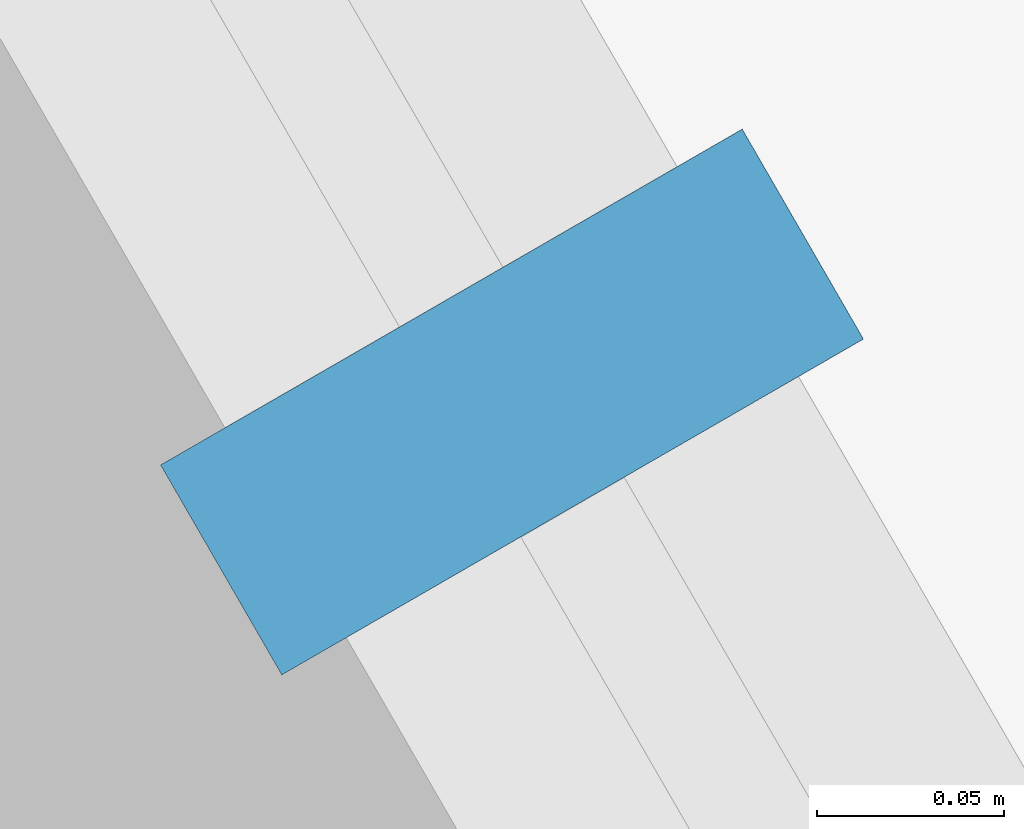
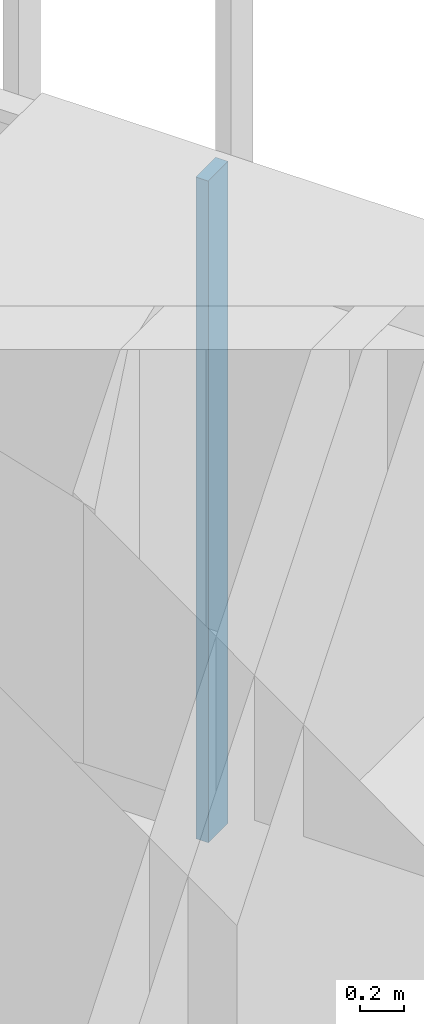
# One storey, part 222 of 238: 1 member, 1 element without a shape of its own.
"""IFC4 building model written with IfcOpenShell, lengths in metres."""

from ifc_helpers import new_model, si_unit, direction, frame, origin, origin_2d, place, context, subcontext, project, spatial, rectangle, extrude, material, material_profile, profile_set, type_object, element, aggregate, save


model = new_model("IFC4")

# Units and contexts
model_context = context("Model", 3, precision=1e-05, world=origin(), true_north=direction((0.0, 1.0)))
body_context = subcontext(model_context, "Body", "Model", "MODEL_VIEW")
ifc_project = project(units=[si_unit("LENGTHUNIT", "METRE"), si_unit("AREAUNIT", "SQUARE_METRE"), si_unit("VOLUMEUNIT", "CUBIC_METRE"), si_unit("PLANEANGLEUNIT", "RADIAN"), si_unit("MASSUNIT", "GRAM", prefix="KILO")], contexts=[model_context])

# Site, building, storey
site_placement = place(None, origin())
site = spatial("IfcSite", under=ifc_project, at=site_placement, CompositionType="ELEMENT")
building_placement = place(site_placement, origin())
building = spatial("IfcBuilding", under=site, at=building_placement, Name="Sandreach Pilgrim Tower", CompositionType="ELEMENT")
storey_placement = place(building_placement, frame((0.0, 0.0, 96.800048828125)))
storey = spatial("IfcBuildingStorey", under=building, at=storey_placement, Name="L23", CompositionType="ELEMENT", Elevation=96.800048828125)

# Curtain wall, member
ifc_material_1 = material(Name="Aluminium framed curtain wall", Category="aluminium")
curtain_wall_type = type_object("IfcCurtainWallType", Name="Hotel tower curtain wall", PredefinedType="NOTDEFINED", material=ifc_material_1)
curtain_wall_placement = place(storey_placement, origin())
curtain_wall = element("IfcCurtainWall", 1, at=curtain_wall_placement, inside=storey, type_object=curtain_wall_type, Name="CW-2 L23 NE", PredefinedType="NOTDEFINED")
ifc_material_2 = material(Name="Aluminium extrusion", Category="aluminium")
ifc_material_profile = material_profile(ifc_material_2, rectangle(XDim=0.06494140625, YDim=0.179931640625, at=origin_2d()), Name="CW-2M 65X180")
ifc_profile_set = profile_set([ifc_material_profile], Name="Aluminium extrusion")
member_type = type_object("IfcMemberType", Name="CW-2 mullion", PredefinedType="MULLION", material=ifc_profile_set)
member_placement = place(storey_placement, frame((22.262451171875, 17.824951171875, 0.0), z_axis=(0.0, 0.0, 1.0), x_axis=(0.5, -0.866025403784, 0.0)))
member = element("IfcMember", 2, at=member_placement, type_object=member_type, Name="CW-2 mullion 2", PredefinedType="MULLION", context=body_context, shape_type="SweptSolid", body=[
    extrude(rectangle(XDim=0.06494140625, YDim=0.179931640625, at=origin_2d()), origin(), (0.0, 0.0, 1.0), 3.639892578125),
])
aggregate(curtain_wall, [member])

save(model, "model.ifc")
